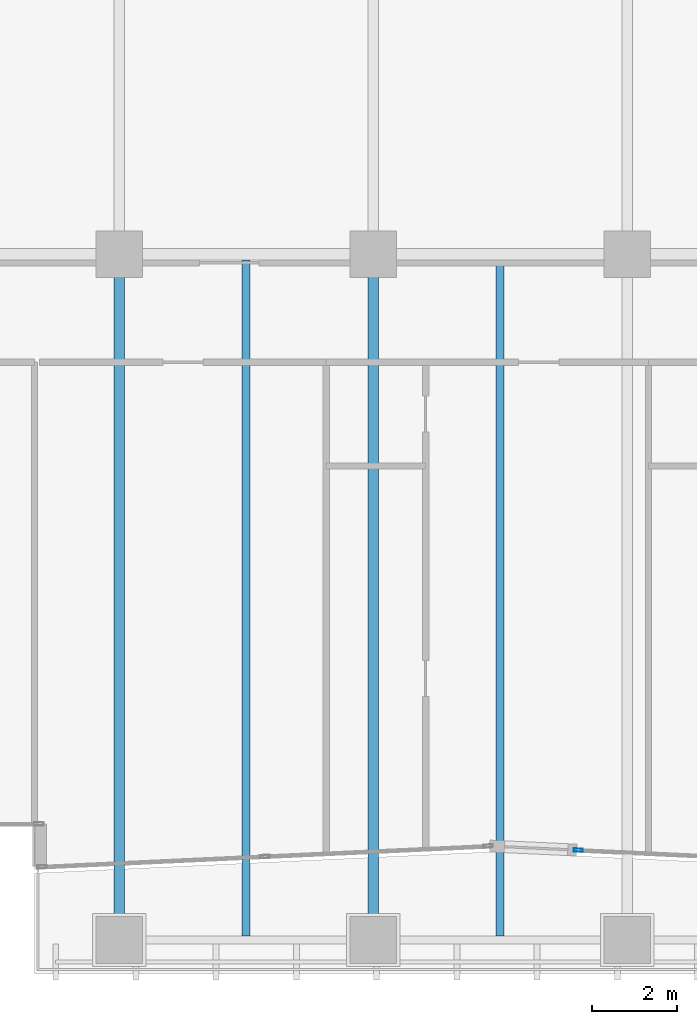
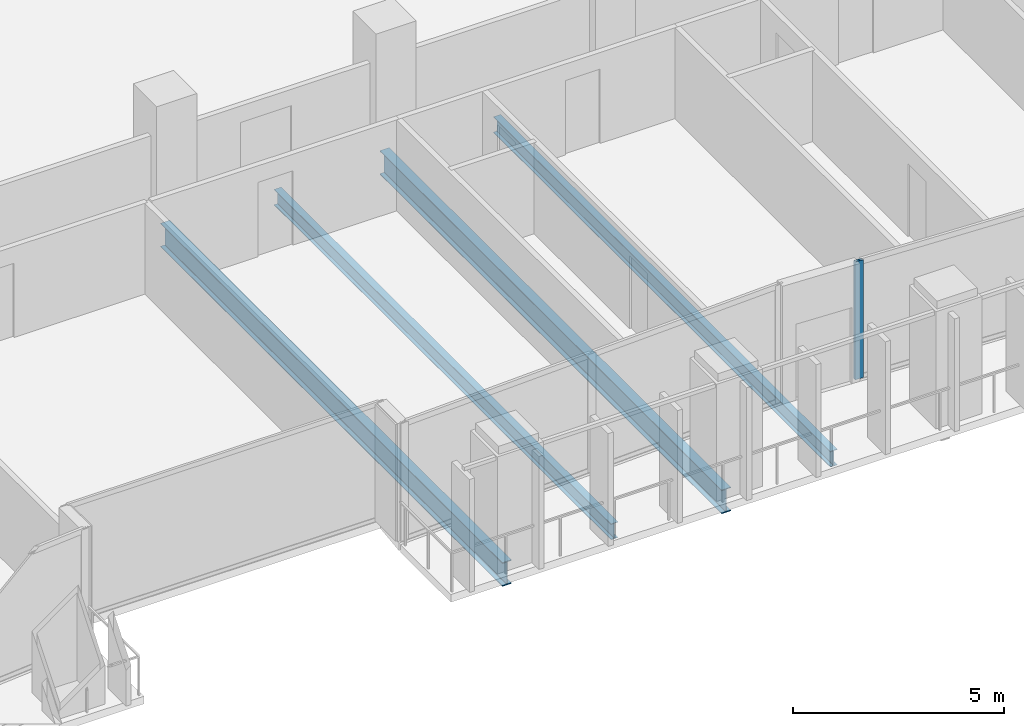
# One storey, part 6 of 31: 4 beams, 1 member, 1 element without a shape of its own.
"""IFC4 building model written with IfcOpenShell, lengths in metres."""

from ifc_helpers import new_model, si_unit, direction, frame, origin, origin_2d, place, context, subcontext, project, spatial, hollow_rectangle, i_section, extrude, material, layer, layer_set, material_profile, profile_set, type_object, element, aggregate, save


model = new_model("IFC4")

# Units and contexts
model_context = context("Model", 3, precision=1e-05, world=origin(), true_north=direction((0.0, 1.0)))
body_context = subcontext(model_context, "Body", "Model", "MODEL_VIEW")
ifc_project = project(units=[si_unit("LENGTHUNIT", "METRE"), si_unit("AREAUNIT", "SQUARE_METRE"), si_unit("VOLUMEUNIT", "CUBIC_METRE"), si_unit("PLANEANGLEUNIT", "RADIAN"), si_unit("MASSUNIT", "GRAM", prefix="KILO")], contexts=[model_context])

# Site, building, storey
site_placement = place(None, origin())
site = spatial("IfcSite", under=ifc_project, at=site_placement, CompositionType="ELEMENT")
building_placement = place(site_placement, origin())
building = spatial("IfcBuilding", under=site, at=building_placement, Name="Tanjung Sevakor Pilgrim Tower", CompositionType="ELEMENT")
storey_placement = place(building_placement, frame((0.0, 0.0, 58.739990234375)))
storey = spatial("IfcBuildingStorey", under=building, at=storey_placement, Name="L16", CompositionType="ELEMENT", Elevation=58.739990234375)

# Beams
ifc_material_1 = material(Name="Steel S355J2", Category="steel")
ifc_material_profile_1 = material_profile(ifc_material_1, i_section(OverallWidth=0.25439453125, OverallDepth=0.6875, WebThickness=0.01318359375, FlangeThickness=0.02099609375, FilletRadius=0.01513671875, at=origin_2d()))
ifc_profile_set_1 = profile_set([ifc_material_profile_1], Name="Steel S355J2")
beam_type_1 = type_object("IfcBeamType", Name="BM-B-G2-UB_686x254x152", PredefinedType="BEAM", material=ifc_profile_set_1)
for number, where, z_axis, x_axis, name in (
    (1, (54.0, 8.39990234375, -0.563720703125), (0.0, 1.0, 0.0), (-1.0, 0.0, 0.0), "L16 MAIN Girder 017"),
    (2, (60.0, 8.39990234375, -0.563720703125), (0.0, 1.0, 0.0), (-1.0, 0.0, 0.0), "L16 MAIN Girder 022"),
):
    element("IfcBeam", number, at=place(storey_placement, frame(where, z_axis=z_axis, x_axis=x_axis)), inside=storey, type_object=beam_type_1, Name=name, PredefinedType="BEAM", context=body_context, shape_type="SweptSolid", body=[
        extrude(i_section(OverallWidth=0.25439453125, OverallDepth=0.6875, WebThickness=0.01318359375, FlangeThickness=0.02099609375, FilletRadius=0.01513671875, at=origin_2d()), origin(), (0.0, 0.0, 1.0), 16.2001953125),
    ])
ifc_material_2 = material(Name="Steel S355J2", Category="steel")
ifc_material_profile_2 = material_profile(ifc_material_2, i_section(OverallWidth=0.19140625, OverallDepth=0.4599609375, WebThickness=0.010009765625, FlangeThickness=0.01611328125, FilletRadius=0.01025390625, at=origin_2d()))
ifc_profile_set_2 = profile_set([ifc_material_profile_2], Name="Steel S355J2")
beam_type_2 = type_object("IfcBeamType", Name="BM-B-J2-UB_457x191x82", PredefinedType="JOIST", material=ifc_profile_set_2)
for number, where, z_axis, x_axis, name in (
    (3, (57.0, 8.5, -0.449951171875), (0.0, 1.0, 0.0), (-1.0, 0.0, 0.0), "L16 MAIN Joist 020"),
    (4, (63.0, 8.5, -0.449951171875), (0.0, 1.0, 0.0), (-1.0, 0.0, 0.0), "L16 MAIN Joist 025"),
):
    element("IfcBeam", number, at=place(storey_placement, frame(where, z_axis=z_axis, x_axis=x_axis)), inside=storey, type_object=beam_type_2, Name=name, PredefinedType="JOIST", context=body_context, shape_type="SweptSolid", body=[
        extrude(i_section(OverallWidth=0.19140625, OverallDepth=0.4599609375, WebThickness=0.010009765625, FlangeThickness=0.01611328125, FilletRadius=0.01025390625, at=origin_2d()), origin(), (0.0, 0.0, 1.0), 15.966064453125),
    ])

# Curtain wall, member
ifc_material_3 = material(Name="Aluminium 6063-T6 and Low-E Glass", Category="aluminium")
ifc_layer = layer(ifc_material_3, 0.199951171875)
ifc_layer_set = layer_set([ifc_layer], Name="CW-SYS-PRAY")
curtain_wall_type = type_object("IfcCurtainWallType", Name="CW-SYS-PRAY", PredefinedType="NOTDEFINED", material=ifc_layer_set)
curtain_wall_placement = place(storey_placement, origin())
curtain_wall = element("IfcCurtainWall", 5, at=curtain_wall_placement, inside=storey, type_object=curtain_wall_type, Name="L16 Curtain Wall CW-PRY-L16-10B", PredefinedType="NOTDEFINED")
ifc_material_4 = material(Name="Aluminium 6063-T6", Category="aluminium")
ifc_material_profile_3 = material_profile(ifc_material_4, hollow_rectangle(XDim=0.074951171875, YDim=0.219970703125, WallThickness=0.0048828125, at=origin_2d()))
ifc_profile_set_3 = profile_set([ifc_material_profile_3], Name="Aluminium 6063-T6")
member_type = type_object("IfcMemberType", Name="TYPE-CWM-2", PredefinedType="MULLION", material=ifc_profile_set_3)
member_placement = place(storey_placement, frame((64.84521484375, 10.522705078125, 0.0), z_axis=(0.0, 0.0, 1.0), x_axis=(0.046473924043, 0.998919503456, 0.0)))
member = element("IfcMember", 6, at=member_placement, type_object=member_type, Name="CW-PRY mullion 1", PredefinedType="MULLION", context=body_context, shape_type="SweptSolid", body=[
    extrude(hollow_rectangle(XDim=0.074951171875, YDim=0.219970703125, WallThickness=0.0048828125, at=origin_2d()), origin(), (0.0, 0.0, 1.0), 3.409912109375),
])
aggregate(curtain_wall, [member])

save(model, "model.ifc")
